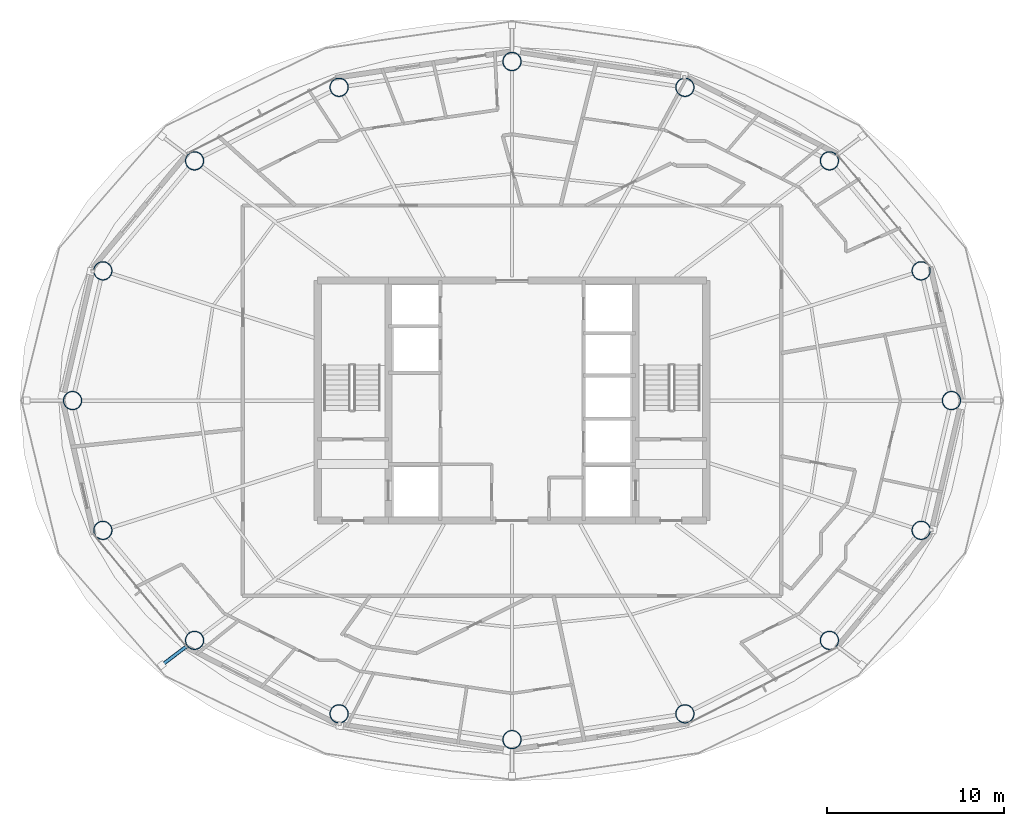
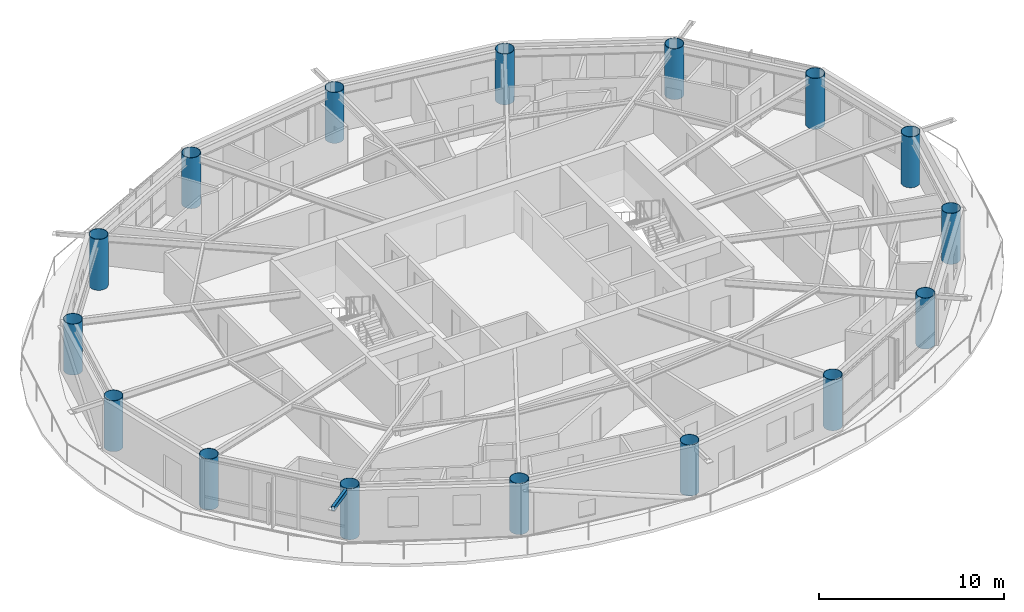
# One storey, part 1 of 23: 16 columns, 1 member.
"""IFC4 building model written with IfcOpenShell, lengths in metres."""

from ifc_helpers import new_model, si_unit, direction, frame, origin, origin_2d, place, context, subcontext, project, spatial, hollow_rectangle, hollow_circle, extrude, material, material_profile, profile_set, type_object, element, save


model = new_model("IFC4")

# Units and contexts
model_context = context("Model", 3, precision=1e-05, world=origin(), true_north=direction((0.0, 1.0)))
body_context = subcontext(model_context, "Body", "Model", "MODEL_VIEW")
ifc_project = project(units=[si_unit("LENGTHUNIT", "METRE"), si_unit("AREAUNIT", "SQUARE_METRE"), si_unit("VOLUMEUNIT", "CUBIC_METRE"), si_unit("PLANEANGLEUNIT", "RADIAN"), si_unit("MASSUNIT", "GRAM", prefix="KILO")], contexts=[model_context])

# Site, building, storey
site_placement = place(None, origin())
site = spatial("IfcSite", under=ifc_project, at=site_placement, CompositionType="ELEMENT")
building_placement = place(site_placement, origin())
building = spatial("IfcBuilding", under=site, at=building_placement, Name="Sarneth Arch Tower", CompositionType="ELEMENT")
storey_placement = place(building_placement, frame((0.0, 0.0, 246.0)))
storey = spatial("IfcBuildingStorey", under=building, at=storey_placement, Name="L63", CompositionType="ELEMENT", Elevation=246.0)

# Columns
ifc_material_1 = material(Name="Steel S355", Category="steel")
ifc_material_profile_1 = material_profile(ifc_material_1, hollow_circle(Radius=0.52490234375, WallThickness=0.028076171875, at=origin_2d()), Name="CHS1050x28")
ifc_profile_set_1 = profile_set([ifc_material_profile_1], Name="Steel S355")
column_type = type_object("IfcColumnType", Name="COL-MEGA-1050", PredefinedType="COLUMN", material=ifc_profile_set_1)
for number, where, z_axis, x_axis, name in (
    (1, (72.88330078125, 42.0, 0.0), (0.0, 0.0, 1.0), (1.0, 0.0, 0.0), "L63 Perimeter mega-column M01"),
    (2, (71.1689453125, 49.347412109375, 0.0), (0.0, 0.0, 1.0), (1.0, 0.0, 0.0), "L63 Perimeter mega-column M02"),
    (3, (65.975341796875, 55.576416015625, 0.0), (0.0, 0.0, 1.0), (1.0, 0.0, 0.0), "L63 Perimeter mega-column M03"),
    (4, (57.790771484375, 59.738525390625, 0.0), (0.0, 0.0, 1.0), (1.0, 0.0, 0.0), "L63 Perimeter mega-column M04"),
    (5, (48.0, 61.199951171875, 0.0), (0.0, 0.0, 1.0), (1.0, 0.0, 0.0), "L63 Perimeter mega-column M05"),
    (6, (38.209228515625, 59.738525390625, 0.0), (0.0, 0.0, 1.0), (1.0, 0.0, 0.0), "L63 Perimeter mega-column M06"),
    (7, (30.024658203125, 55.576416015625, 0.0), (0.0, 0.0, 1.0), (1.0, 0.0, 0.0), "L63 Perimeter mega-column M07"),
    (8, (24.8310546875, 49.347412109375, 0.0), (0.0, 0.0, 1.0), (1.0, 0.0, 0.0), "L63 Perimeter mega-column M08"),
    (9, (23.11669921875, 42.0, 0.0), (0.0, 0.0, 1.0), (1.0, 0.0, 0.0), "L63 Perimeter mega-column M09"),
    (10, (24.8310546875, 34.652587890625, 0.0), (0.0, 0.0, 1.0), (1.0, 0.0, 0.0), "L63 Perimeter mega-column M10"),
    (11, (30.024658203125, 28.423583984375, 0.0), (0.0, 0.0, 1.0), (1.0, 0.0, 0.0), "L63 Perimeter mega-column M11"),
    (12, (38.209228515625, 24.261474609375, 0.0), (0.0, 0.0, 1.0), (1.0, 0.0, 0.0), "L63 Perimeter mega-column M12"),
    (13, (48.0, 22.800048828125, 0.0), (0.0, 0.0, 1.0), (1.0, 0.0, 0.0), "L63 Perimeter mega-column M13"),
    (14, (57.790771484375, 24.261474609375, 0.0), (0.0, 0.0, 1.0), (1.0, 0.0, 0.0), "L63 Perimeter mega-column M14"),
    (15, (65.975341796875, 28.423583984375, 0.0), (0.0, 0.0, 1.0), (1.0, 0.0, 0.0), "L63 Perimeter mega-column M15"),
    (16, (71.1689453125, 34.652587890625, 0.0), (0.0, 0.0, 1.0), (1.0, 0.0, 0.0), "L63 Perimeter mega-column M16"),
):
    element("IfcColumn", number, at=place(storey_placement, frame(where, z_axis=z_axis, x_axis=x_axis)), inside=storey, type_object=column_type, Name=name, PredefinedType="COLUMN", context=body_context, shape_type="SweptSolid", body=[
        extrude(hollow_circle(Radius=0.52490234375, WallThickness=0.028076171875, at=origin_2d()), origin(), (0.0, 0.0, 1.0), 3.360107421875),
    ])

# Member
ifc_material_2 = material(Name="Steel S355", Category="steel")
ifc_material_profile_2 = material_profile(ifc_material_2, hollow_rectangle(XDim=0.199951171875, YDim=0.300048828125, WallThickness=0.012451171875, InnerFilletRadius=0.018798828125, OuterFilletRadius=0.03125, at=origin_2d()), Name="RHS300x200x12.5")
ifc_profile_set_2 = profile_set([ifc_material_profile_2], Name="Steel S355")
member_type = type_object("IfcMemberType", Name="MEM-CANT-STRUT", PredefinedType="STRUT", material=ifc_profile_set_2)
member_placement = place(storey_placement, frame((29.60595703125, 28.107177734375, 3.199951171875), z_axis=(-0.798004293469, -0.602651763132, 0.0), x_axis=(0.602651763132, -0.798004293469, 0.0)))
element("IfcMember", 17, at=member_placement, inside=storey, type_object=member_type, Name="L63 Balcony cantilever bracket 11", PredefinedType="STRUT", context=body_context, shape_type="SweptSolid", body=[
    extrude(hollow_rectangle(XDim=0.199951171875, YDim=0.300048828125, WallThickness=0.012451171875, InnerFilletRadius=0.018798828125, OuterFilletRadius=0.03125, at=origin_2d()), origin(), (0.0, 0.0, 1.0), 1.8095703125),
])

save(model, "model.ifc")
